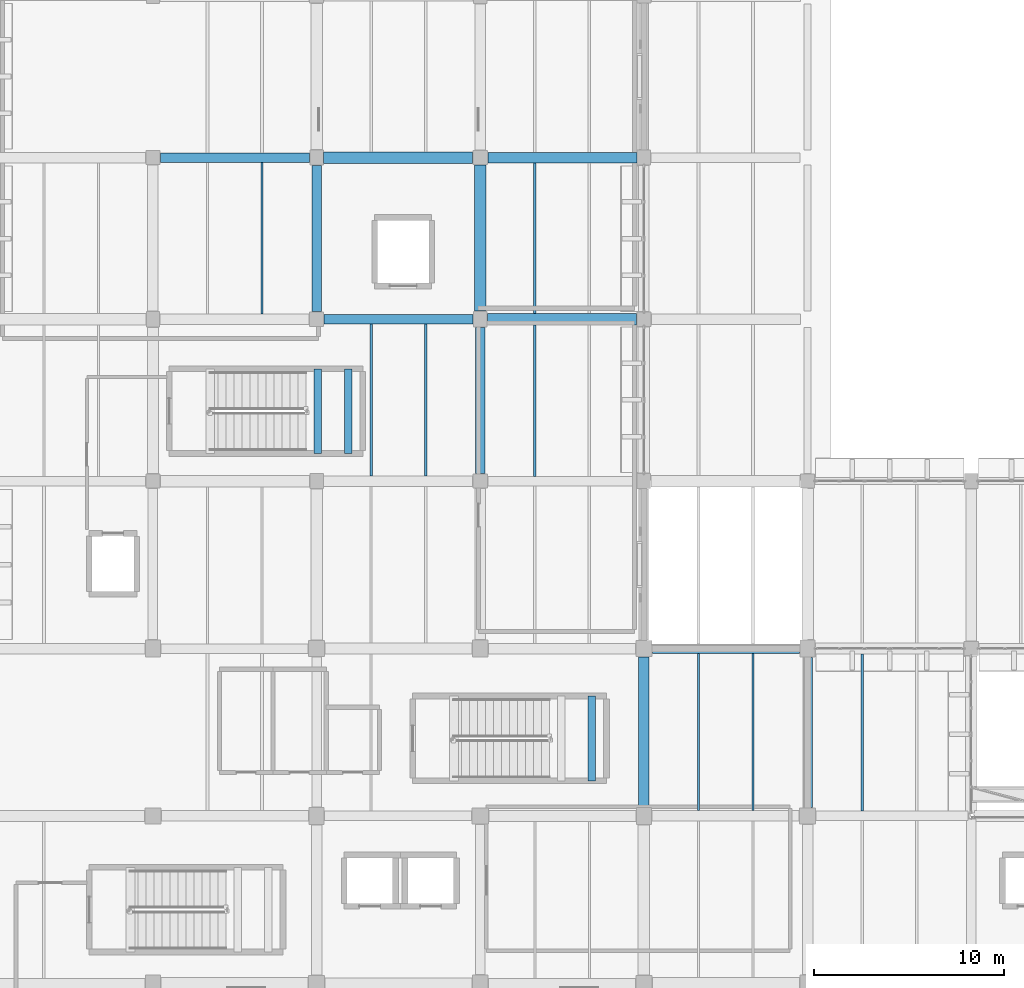
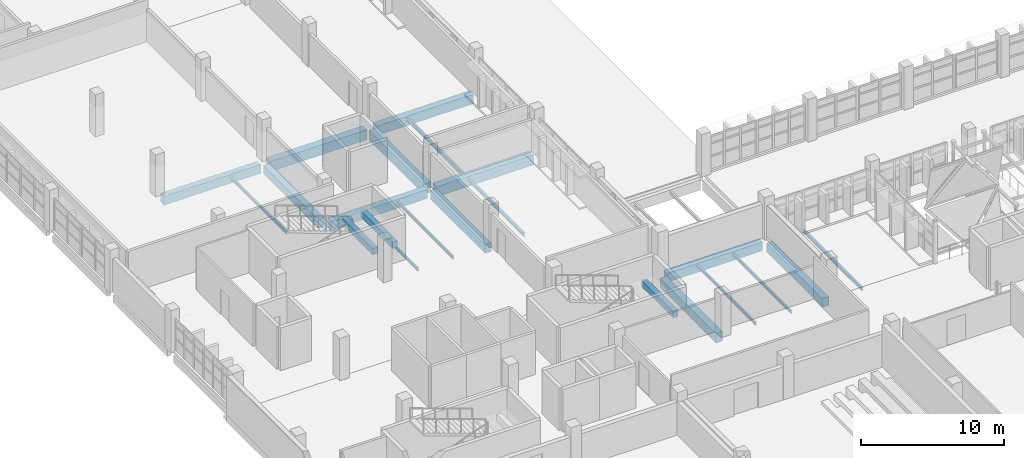
# One storey, part 19 of 80: 22 beams.
"""IFC4 building model written with IfcOpenShell, lengths in metres."""

from ifc_helpers import new_model, si_unit, direction, frame, origin, origin_2d, place, context, subcontext, project, spatial, rectangle, i_section, extrude, material, material_profile, profile_set, type_object, element, save


model = new_model("IFC4")

# Units and contexts
model_context = context("Model", 3, precision=1e-05, world=origin(), true_north=direction((0.0, 1.0)))
body_context = subcontext(model_context, "Body", "Model", "MODEL_VIEW")
ifc_project = project(units=[si_unit("LENGTHUNIT", "METRE"), si_unit("AREAUNIT", "SQUARE_METRE"), si_unit("VOLUMEUNIT", "CUBIC_METRE"), si_unit("PLANEANGLEUNIT", "RADIAN"), si_unit("MASSUNIT", "GRAM", prefix="KILO")], contexts=[model_context])

# Site, building, storey
site_placement = place(None, origin())
site = spatial("IfcSite", under=ifc_project, at=site_placement, CompositionType="ELEMENT")
building_placement = place(site_placement, origin())
building = spatial("IfcBuilding", under=site, at=building_placement, Name="Varnakota Cinema and Media Centre", CompositionType="ELEMENT")
storey_placement = place(building_placement, frame((0.0, 0.0, 4.5)))
storey = spatial("IfcBuildingStorey", under=building, at=storey_placement, Name="L01", CompositionType="ELEMENT", Elevation=4.5)

# Beams
ifc_material_1 = material(Name="Concrete M35", Category="concrete")
ifc_material_profile_1 = material_profile(ifc_material_1, rectangle(XDim=0.39990234375, YDim=0.550048828125, at=origin_2d()), Name="RCB 400x550")
ifc_profile_set_1 = profile_set([ifc_material_profile_1], Name="Concrete M35")
beam_type_1 = type_object("IfcBeamType", Name="BM-RC-400x550", PredefinedType="BEAM", material=ifc_profile_set_1)
for number, where, z_axis, x_axis, name in (
    (1, (31.6552734375, 28.25, 1.47509765625), (0.0, 1.0, 0.0), (-1.0, 0.0, 0.0), "L01 ST-02 landing support beam 2"),
    (2, (17.264892578125, 45.449951171875, 1.47509765625), (0.0, 1.0, 0.0), (-1.0, 0.0, 0.0), "L01 ST-03 landing support beam 1"),
    (3, (18.855224609375, 45.449951171875, 1.47509765625), (0.0, 1.0, 0.0), (-1.0, 0.0, 0.0), "L01 ST-03 landing support beam 2"),
):
    element("IfcBeam", number, at=place(storey_placement, frame(where, z_axis=z_axis, x_axis=x_axis)), inside=storey, type_object=beam_type_1, Name=name, PredefinedType="BEAM", context=body_context, shape_type="SweptSolid", body=[
        extrude(rectangle(XDim=0.39990234375, YDim=0.550048828125, at=origin_2d()), origin(), (0.0, 0.0, 1.0), 4.449951171875),
    ])
ifc_material_2 = material(Name="Concrete M35", Category="concrete")
ifc_material_profile_2 = material_profile(ifc_material_2, rectangle(XDim=0.5, YDim=0.75, at=origin_2d()), Name="RCB 500x750")
ifc_profile_set_2 = profile_set([ifc_material_profile_2], Name="Concrete M35")
beam_type_2 = type_object("IfcBeamType", Name="BM-RC-500x750", PredefinedType="BEAM", material=ifc_profile_set_2)
beam_1_placement = place(storey_placement, frame((34.85009765625, 35.199951171875, -0.625), z_axis=(1.0, 0.0, 0.0), x_axis=(0.0, 1.0, 0.0)))
element("IfcBeam", 4, at=beam_1_placement, inside=storey, type_object=beam_type_2, Name="L01 girder E-F/5", PredefinedType="BEAM", context=body_context, shape_type="SweptSolid", body=[
    extrude(rectangle(XDim=0.5, YDim=0.75, at=origin_2d()), origin(), (0.0, 0.0, 1.0), 7.724853515625),
])
for number, where, z_axis, x_axis, name in (
    (5, (17.60009765625, 52.5, -0.625), (1.0, 0.0, 0.0), (0.0, 1.0, 0.0), "L01 girder C-D/7"),
    (6, (9.0, 61.0, -0.625), (1.0, 0.0, 0.0), (0.0, 1.0, 0.0), "L01 girder B-C/8"),
):
    element("IfcBeam", number, at=place(storey_placement, frame(where, z_axis=z_axis, x_axis=x_axis)), inside=storey, type_object=beam_type_2, Name=name, PredefinedType="BEAM", context=body_context, shape_type="SweptSolid", body=[
        extrude(rectangle(XDim=0.5, YDim=0.75, at=origin_2d()), origin(), (0.0, 0.0, 1.0), 7.824951171875),
    ])
for number, where, z_axis, x_axis, name in (
    (7, (17.199951171875, 52.89990234375, -0.625), (0.0, 1.0, 0.0), (-1.0, 0.0, 0.0), "L01 girder C/7-8"),
    (8, (25.800048828125, 44.39990234375, -0.625), (0.0, 1.0, 0.0), (-1.0, 0.0, 0.0), "L01 girder D/6-7"),
):
    element("IfcBeam", number, at=place(storey_placement, frame(where, z_axis=z_axis, x_axis=x_axis)), inside=storey, type_object=beam_type_2, Name=name, PredefinedType="BEAM", context=body_context, shape_type="SweptSolid", body=[
        extrude(rectangle(XDim=0.5, YDim=0.75, at=origin_2d()), origin(), (0.0, 0.0, 1.0), 7.675048828125),
    ])
beam_2_placement = place(storey_placement, frame((43.0, 26.85009765625, -0.625), z_axis=(0.0, 1.0, 0.0), x_axis=(-1.0, 0.0, 0.0)))
element("IfcBeam", 9, at=beam_2_placement, inside=storey, type_object=beam_type_2, Name="L01 girder F/4-5", PredefinedType="BEAM", context=body_context, shape_type="SweptSolid", body=[
    extrude(rectangle(XDim=0.5, YDim=0.75, at=origin_2d()), origin(), (0.0, 0.0, 1.0), 7.875),
])
ifc_material_3 = material(Name="Concrete M35", Category="concrete")
ifc_material_profile_3 = material_profile(ifc_material_3, rectangle(XDim=0.550048828125, YDim=0.800048828125, at=origin_2d()), Name="RCB 550x800")
ifc_profile_set_3 = profile_set([ifc_material_profile_3], Name="Concrete M35")
beam_type_3 = type_object("IfcBeamType", Name="BM-RC-550x800", PredefinedType="BEAM", material=ifc_profile_set_3)
beam_3_placement = place(storey_placement, frame((26.199951171875, 61.0, -0.64990234375), z_axis=(1.0, 0.0, 0.0), x_axis=(0.0, 1.0, 0.0)))
element("IfcBeam", 10, at=beam_3_placement, inside=storey, type_object=beam_type_3, Name="L01 girder D-E/8", PredefinedType="BEAM", context=body_context, shape_type="SweptSolid", body=[
    extrude(rectangle(XDim=0.550048828125, YDim=0.800048828125, at=origin_2d()), origin(), (0.0, 0.0, 1.0), 7.824951171875),
])
beam_4_placement = place(storey_placement, frame((34.39990234375, 26.875, -0.64990234375), z_axis=(0.0, 1.0, 0.0), x_axis=(-1.0, 0.0, 0.0)))
element("IfcBeam", 11, at=beam_4_placement, inside=storey, type_object=beam_type_3, Name="L01 girder E/4-5", PredefinedType="BEAM", context=body_context, shape_type="SweptSolid", body=[
    extrude(rectangle(XDim=0.550048828125, YDim=0.800048828125, at=origin_2d()), origin(), (0.0, 0.0, 1.0), 7.875),
])
ifc_material_4 = material(Name="Concrete M35", Category="concrete")
ifc_material_profile_4 = material_profile(ifc_material_4, rectangle(XDim=0.60009765625, YDim=0.85009765625, at=origin_2d()), Name="RCB 600x850")
ifc_profile_set_4 = profile_set([ifc_material_profile_4], Name="Concrete M35")
beam_type_4 = type_object("IfcBeamType", Name="BM-RC-600x850", PredefinedType="BEAM", material=ifc_profile_set_4)
for number, where, z_axis, x_axis, name in (
    (12, (26.175048828125, 52.5, -0.675048828125), (1.0, 0.0, 0.0), (0.0, 1.0, 0.0), "L01 girder D-E/7"),
    (13, (17.574951171875, 61.0, -0.675048828125), (1.0, 0.0, 0.0), (0.0, 1.0, 0.0), "L01 girder C-D/8"),
):
    element("IfcBeam", number, at=place(storey_placement, frame(where, z_axis=z_axis, x_axis=x_axis)), inside=storey, type_object=beam_type_4, Name=name, PredefinedType="BEAM", context=body_context, shape_type="SweptSolid", body=[
        extrude(rectangle(XDim=0.60009765625, YDim=0.85009765625, at=origin_2d()), origin(), (0.0, 0.0, 1.0), 7.824951171875),
    ])
beam_5_placement = place(storey_placement, frame((25.800048828125, 52.925048828125, -0.675048828125), z_axis=(0.0, 1.0, 0.0), x_axis=(-1.0, 0.0, 0.0)))
element("IfcBeam", 14, at=beam_5_placement, inside=storey, type_object=beam_type_4, Name="L01 girder D/7-8", PredefinedType="BEAM", context=body_context, shape_type="SweptSolid", body=[
    extrude(rectangle(XDim=0.60009765625, YDim=0.85009765625, at=origin_2d()), origin(), (0.0, 0.0, 1.0), 7.675048828125),
])
ifc_material_5 = material(Name="Structural steel Grade 350 (E350)", Category="steel")
ifc_material_profile_5 = material_profile(ifc_material_5, i_section(OverallWidth=0.125, OverallDepth=0.25, WebThickness=0.0068359375, FlangeThickness=0.012451171875, FilletRadius=0.012939453125, at=origin_2d()), Name="ISMB 250")
ifc_profile_set_5 = profile_set([ifc_material_profile_5], Name="Structural steel Grade 350 (E350)")
beam_type_5 = type_object("IfcBeamType", Name="BM-ST-ISMB250", PredefinedType="JOIST", material=ifc_profile_set_5)
for number, where, z_axis, x_axis, name in (
    (15, (14.333251953125, 52.77490234375, -0.375), (0.0, 1.0, 0.0), (-1.0, 0.0, 0.0), "L01 steel joist B-C/7-8 #2"),
    (16, (20.066650390625, 44.27490234375, -0.375), (0.0, 1.0, 0.0), (-1.0, 0.0, 0.0), "L01 steel joist C-D/6-7 #1"),
    (17, (22.933349609375, 44.27490234375, -0.375), (0.0, 1.0, 0.0), (-1.0, 0.0, 0.0), "L01 steel joist C-D/6-7 #2"),
):
    element("IfcBeam", number, at=place(storey_placement, frame(where, z_axis=z_axis, x_axis=x_axis)), inside=storey, type_object=beam_type_5, Name=name, PredefinedType="JOIST", context=body_context, shape_type="SweptSolid", body=[
        extrude(i_section(OverallWidth=0.125, OverallDepth=0.25, WebThickness=0.0068359375, FlangeThickness=0.012451171875, FilletRadius=0.012939453125, at=origin_2d()), origin(), (0.0, 0.0, 1.0), 7.97509765625),
    ])
for number, where, z_axis, x_axis, name in (
    (18, (37.2666015625, 26.675048828125, -0.375), (0.0, 1.0, 0.0), (-1.0, 0.0, 0.0), "L01 steel joist E-F/4-5 #1"),
    (19, (40.13330078125, 26.675048828125, -0.375), (0.0, 1.0, 0.0), (-1.0, 0.0, 0.0), "L01 steel joist E-F/4-5 #2"),
):
    element("IfcBeam", number, at=place(storey_placement, frame(where, z_axis=z_axis, x_axis=x_axis)), inside=storey, type_object=beam_type_5, Name=name, PredefinedType="JOIST", context=body_context, shape_type="SweptSolid", body=[
        extrude(i_section(OverallWidth=0.125, OverallDepth=0.25, WebThickness=0.0068359375, FlangeThickness=0.012451171875, FilletRadius=0.012939453125, at=origin_2d()), origin(), (0.0, 0.0, 1.0), 8.27490234375),
    ])
ifc_material_6 = material(Name="Structural steel Grade 350 (E350)", Category="steel")
ifc_material_profile_6 = material_profile(ifc_material_6, i_section(OverallWidth=0.139892578125, OverallDepth=0.300048828125, WebThickness=0.0078125, FlangeThickness=0.01318359375, FilletRadius=0.013916015625, at=origin_2d()), Name="ISMB 300")
ifc_profile_set_6 = profile_set([ifc_material_profile_6], Name="Structural steel Grade 350 (E350)")
beam_type_6 = type_object("IfcBeamType", Name="BM-ST-ISMB300", PredefinedType="JOIST", material=ifc_profile_set_6)
beam_6_placement = place(storey_placement, frame((28.666748046875, 44.25, -0.39990234375), z_axis=(0.0, 1.0, 0.0), x_axis=(-1.0, 0.0, 0.0)))
element("IfcBeam", 20, at=beam_6_placement, inside=storey, type_object=beam_type_6, Name="L01 steel joist D-E/6-7 #1", PredefinedType="JOIST", context=body_context, shape_type="SweptSolid", body=[
    extrude(i_section(OverallWidth=0.139892578125, OverallDepth=0.300048828125, WebThickness=0.0078125, FlangeThickness=0.01318359375, FilletRadius=0.013916015625, at=origin_2d()), origin(), (0.0, 0.0, 1.0), 7.949951171875),
])
beam_7_placement = place(storey_placement, frame((45.86669921875, 26.64990234375, -0.39990234375), z_axis=(0.0, 1.0, 0.0), x_axis=(-1.0, 0.0, 0.0)))
element("IfcBeam", 21, at=beam_7_placement, inside=storey, type_object=beam_type_6, Name="L01 steel joist F-G/4-5 #1", PredefinedType="JOIST", context=body_context, shape_type="SweptSolid", body=[
    extrude(i_section(OverallWidth=0.139892578125, OverallDepth=0.300048828125, WebThickness=0.0078125, FlangeThickness=0.01318359375, FilletRadius=0.013916015625, at=origin_2d()), origin(), (0.0, 0.0, 1.0), 8.25),
])
ifc_material_7 = material(Name="Structural steel Grade 350 (E350)", Category="steel")
ifc_material_profile_7 = material_profile(ifc_material_7, i_section(OverallWidth=0.139892578125, OverallDepth=0.35009765625, WebThickness=0.008056640625, FlangeThickness=0.01416015625, FilletRadius=0.013916015625, at=origin_2d()), Name="ISMB 350")
ifc_profile_set_7 = profile_set([ifc_material_profile_7], Name="Structural steel Grade 350 (E350)")
beam_type_7 = type_object("IfcBeamType", Name="BM-ST-ISMB350", PredefinedType="JOIST", material=ifc_profile_set_7)
beam_8_placement = place(storey_placement, frame((28.666748046875, 52.800048828125, -0.425048828125), z_axis=(0.0, 1.0, 0.0), x_axis=(-1.0, 0.0, 0.0)))
element("IfcBeam", 22, at=beam_8_placement, inside=storey, type_object=beam_type_7, Name="L01 steel joist D-E/7-8 #1", PredefinedType="JOIST", context=body_context, shape_type="SweptSolid", body=[
    extrude(i_section(OverallWidth=0.139892578125, OverallDepth=0.35009765625, WebThickness=0.008056640625, FlangeThickness=0.01416015625, FilletRadius=0.013916015625, at=origin_2d()), origin(), (0.0, 0.0, 1.0), 7.925048828125),
])

save(model, "model.ifc")
